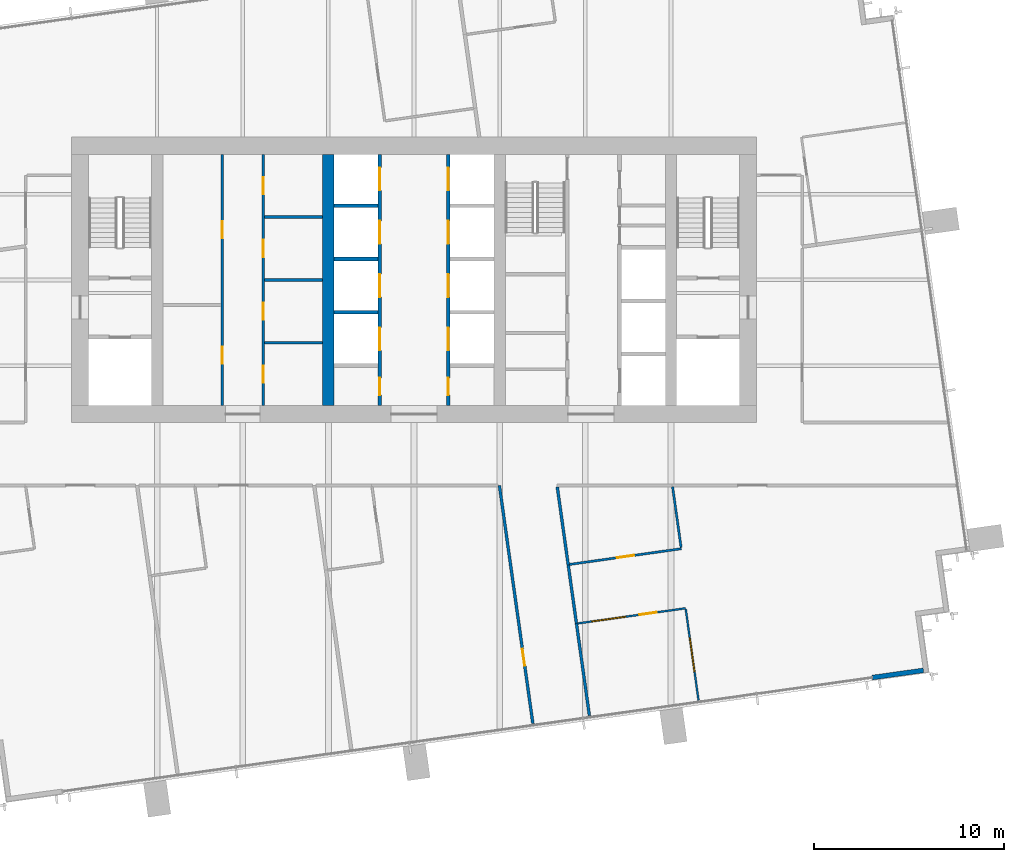
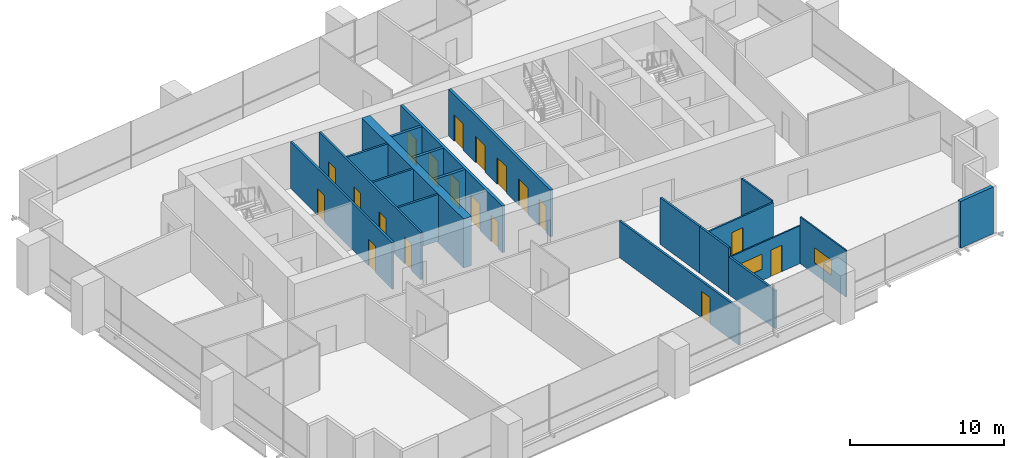
# One storey, part 10 of 14: 20 walls, 19 doors, 2 windows, 21 openings.
"""IFC4 building model written with IfcOpenShell, lengths in metres."""

from ifc_helpers import new_model, si_unit, direction, frame, frame_2d, origin, place, context, subcontext, project, spatial, rectangle, extrude, material, layer, layer_set, type_object, element, fill, save


model = new_model("IFC4")

# Units and contexts
model_context = context("Model", 3, precision=1e-05, world=origin(), true_north=direction((0.0, 1.0)))
body_context = subcontext(model_context, "Body", "Model", "MODEL_VIEW")
ifc_project = project(units=[si_unit("LENGTHUNIT", "METRE"), si_unit("AREAUNIT", "SQUARE_METRE"), si_unit("VOLUMEUNIT", "CUBIC_METRE"), si_unit("PLANEANGLEUNIT", "RADIAN"), si_unit("MASSUNIT", "GRAM", prefix="KILO")], contexts=[model_context])

# Site, building, storey
site_placement = place(None, origin())
site = spatial("IfcSite", under=ifc_project, at=site_placement, CompositionType="ELEMENT")
building_placement = place(site_placement, origin())
building = spatial("IfcBuilding", under=site, at=building_placement, Name="Rattan Terrace Tower", CompositionType="ELEMENT")
storey_placement = place(building_placement, frame((0.0, 0.0, 195.800048828125)))
storey = spatial("IfcBuildingStorey", under=building, at=storey_placement, Name="L45", CompositionType="ELEMENT", Elevation=195.800048828125)

# Wall, openings, doors
ifc_material_1 = material(Name="Gypsum board partition")
ifc_layer_1 = layer(ifc_material_1, 0.14990234375)
ifc_layer_set_1 = layer_set([ifc_layer_1], Name="Core partition 150")
wall_type_1 = type_object("IfcWallType", Name="Core partition 150", PredefinedType="PARTITIONING", material=ifc_layer_set_1)
wall_1_placement = place(storey_placement, frame((-10.074951171875, -6.60009765625, 0.0), z_axis=(0.0, 0.0, 1.0), x_axis=(0.0, 1.0, 0.0)))
wall_1 = element("IfcWall", 1, at=wall_1_placement, inside=storey, type_object=wall_type_1, Name="Core room wall", PredefinedType="PARTITIONING", context=body_context, shape_type="SweptSolid", body=[
    extrude(rectangle(XDim=13.2001953125, YDim=0.14990234375, at=frame_2d((6.60009765625, 0.0))), origin(), (0.0, 0.0, 1.0), 3.699951171875),
])
opening_1_placement = place(wall_1_placement, frame((2.18994140625, 0.0, 0.0)))
opening_1 = element("IfcOpeningElement", 2, at=opening_1_placement, cuts=wall_1, Name="Opening L45-D005", PredefinedType="OPENING", context=body_context, shape_type="SweptSolid", body=[
    extrude(rectangle(XDim=0.89990234375, YDim=2.10009765625, at=frame_2d((0.449951171875, 1.050048828125))), frame((0.0, 0.08544921875, 0.0), z_axis=(0.0, -1.0, 0.0), x_axis=(1.0, 0.0, 0.0)), (0.0, 0.0, 1.0), 0.1708984375),
])
opening_2_placement = place(wall_1_placement, frame((8.7900390625, 0.0, 0.0)))
opening_2 = element("IfcOpeningElement", 3, at=opening_2_placement, cuts=wall_1, Name="Opening L45-D006", PredefinedType="OPENING", context=body_context, shape_type="SweptSolid", body=[
    extrude(rectangle(XDim=0.89990234375, YDim=2.10009765625, at=frame_2d((0.449951171875, 1.050048828125))), frame((0.0, 0.08544921875, 0.0), z_axis=(0.0, -1.0, 0.0), x_axis=(1.0, 0.0, 0.0)), (0.0, 0.0, 1.0), 0.1708984375),
])
ifc_material_2 = material(Name="Hollow-metal fire door leaf")
door_type_1 = type_object("IfcDoorType", Name="Core service room door 900", OperationType="NOTDEFINED", PredefinedType="DOOR", material=ifc_material_2)
door_1_placement = place(opening_1_placement, origin())
door_1 = element("IfcDoor", 4, at=door_1_placement, inside=storey, type_object=door_type_1, Name="Door L45-D005", OperationType="SINGLE_SWING_LEFT", OverallHeight=2.10009765625, OverallWidth=0.89990234375, PredefinedType="DOOR", context=body_context, shape_type="SweptSolid", body=[
    extrude(rectangle(XDim=0.89990234375, YDim=2.10009765625, at=frame_2d((0.449951171875, 1.050048828125))), frame((0.0, 0.02490234375, 0.0), z_axis=(0.0, -1.0, 0.0), x_axis=(1.0, 0.0, 0.0)), (0.0, 0.0, 1.0), 0.050048828125),
])
fill(opening_1, door_1)
door_2_placement = place(opening_2_placement, origin())
door_2 = element("IfcDoor", 5, at=door_2_placement, inside=storey, type_object=door_type_1, Name="Door L45-D006", OperationType="SINGLE_SWING_RIGHT", OverallHeight=2.10009765625, OverallWidth=0.89990234375, PredefinedType="DOOR", context=body_context, shape_type="SweptSolid", body=[
    extrude(rectangle(XDim=0.89990234375, YDim=2.10009765625, at=frame_2d((0.449951171875, 1.050048828125))), frame((0.0, 0.02490234375, 0.0), z_axis=(0.0, -1.0, 0.0), x_axis=(1.0, 0.0, 0.0)), (0.0, 0.0, 1.0), 0.050048828125),
])
fill(opening_2, door_2)

wall_2_placement = place(storey_placement, frame((-7.925048828125, -6.60009765625, 0.0), z_axis=(0.0, 0.0, 1.0), x_axis=(0.0, 1.0, 0.0)))
wall_2 = element("IfcWall", 6, at=wall_2_placement, inside=storey, type_object=wall_type_1, Name="Core room wall", PredefinedType="PARTITIONING", context=body_context, shape_type="SweptSolid", body=[
    extrude(rectangle(XDim=13.2001953125, YDim=0.14990234375, at=frame_2d((6.60009765625, 0.0))), origin(), (0.0, 0.0, 1.0), 3.699951171875),
])
opening_3_placement = place(wall_2_placement, frame((1.199951171875, 0.0, 0.0)))
opening_3 = element("IfcOpeningElement", 7, at=opening_3_placement, cuts=wall_2, Name="Opening L45-D007", PredefinedType="OPENING", context=body_context, shape_type="SweptSolid", body=[
    extrude(rectangle(XDim=0.89990234375, YDim=2.10009765625, at=frame_2d((0.449951171875, 1.050048828125))), frame((0.0, 0.08544921875, 0.0), z_axis=(0.0, -1.0, 0.0), x_axis=(1.0, 0.0, 0.0)), (0.0, 0.0, 1.0), 0.1708984375),
])
opening_4_placement = place(wall_2_placement, frame((4.5, 0.0, 0.0)))
opening_4 = element("IfcOpeningElement", 8, at=opening_4_placement, cuts=wall_2, Name="Opening L45-D008", PredefinedType="OPENING", context=body_context, shape_type="SweptSolid", body=[
    extrude(rectangle(XDim=0.89990234375, YDim=2.10009765625, at=frame_2d((0.449951171875, 1.050048828125))), frame((0.0, 0.08544921875, 0.0), z_axis=(0.0, -1.0, 0.0), x_axis=(1.0, 0.0, 0.0)), (0.0, 0.0, 1.0), 0.1708984375),
])
opening_5_placement = place(wall_2_placement, frame((7.800048828125, 0.0, 0.0)))
opening_5 = element("IfcOpeningElement", 9, at=opening_5_placement, cuts=wall_2, Name="Opening L45-D009", PredefinedType="OPENING", context=body_context, shape_type="SweptSolid", body=[
    extrude(rectangle(XDim=0.89990234375, YDim=2.10009765625, at=frame_2d((0.449951171875, 1.050048828125))), frame((0.0, 0.08544921875, 0.0), z_axis=(0.0, -1.0, 0.0), x_axis=(1.0, 0.0, 0.0)), (0.0, 0.0, 1.0), 0.1708984375),
])
opening_6_placement = place(wall_2_placement, frame((11.10009765625, 0.0, 0.0)))
opening_6 = element("IfcOpeningElement", 10, at=opening_6_placement, cuts=wall_2, Name="Opening L45-D010", PredefinedType="OPENING", context=body_context, shape_type="SweptSolid", body=[
    extrude(rectangle(XDim=0.89990234375, YDim=2.10009765625, at=frame_2d((0.449951171875, 1.050048828125))), frame((0.0, 0.08544921875, 0.0), z_axis=(0.0, -1.0, 0.0), x_axis=(1.0, 0.0, 0.0)), (0.0, 0.0, 1.0), 0.1708984375),
])
door_3_placement = place(opening_3_placement, origin())
door_3 = element("IfcDoor", 11, at=door_3_placement, inside=storey, type_object=door_type_1, Name="Door L45-D007", OperationType="SINGLE_SWING_LEFT", OverallHeight=2.10009765625, OverallWidth=0.89990234375, PredefinedType="DOOR", context=body_context, shape_type="SweptSolid", body=[
    extrude(rectangle(XDim=0.89990234375, YDim=2.10009765625, at=frame_2d((0.449951171875, 1.050048828125))), frame((0.0, 0.02490234375, 0.0), z_axis=(0.0, -1.0, 0.0), x_axis=(1.0, 0.0, 0.0)), (0.0, 0.0, 1.0), 0.050048828125),
])
fill(opening_3, door_3)
door_4_placement = place(opening_4_placement, origin())
door_4 = element("IfcDoor", 12, at=door_4_placement, inside=storey, type_object=door_type_1, Name="Door L45-D008", OperationType="SINGLE_SWING_RIGHT", OverallHeight=2.10009765625, OverallWidth=0.89990234375, PredefinedType="DOOR", context=body_context, shape_type="SweptSolid", body=[
    extrude(rectangle(XDim=0.89990234375, YDim=2.10009765625, at=frame_2d((0.449951171875, 1.050048828125))), frame((0.0, 0.02490234375, 0.0), z_axis=(0.0, -1.0, 0.0), x_axis=(1.0, 0.0, 0.0)), (0.0, 0.0, 1.0), 0.050048828125),
])
fill(opening_4, door_4)
door_5_placement = place(opening_5_placement, origin())
door_5 = element("IfcDoor", 13, at=door_5_placement, inside=storey, type_object=door_type_1, Name="Door L45-D009", OperationType="SINGLE_SWING_LEFT", OverallHeight=2.10009765625, OverallWidth=0.89990234375, PredefinedType="DOOR", context=body_context, shape_type="SweptSolid", body=[
    extrude(rectangle(XDim=0.89990234375, YDim=2.10009765625, at=frame_2d((0.449951171875, 1.050048828125))), frame((0.0, 0.02490234375, 0.0), z_axis=(0.0, -1.0, 0.0), x_axis=(1.0, 0.0, 0.0)), (0.0, 0.0, 1.0), 0.050048828125),
])
fill(opening_5, door_5)
door_6_placement = place(opening_6_placement, origin())
door_6 = element("IfcDoor", 14, at=door_6_placement, inside=storey, type_object=door_type_1, Name="Door L45-D010", OperationType="SINGLE_SWING_RIGHT", OverallHeight=2.10009765625, OverallWidth=0.89990234375, PredefinedType="DOOR", context=body_context, shape_type="SweptSolid", body=[
    extrude(rectangle(XDim=0.89990234375, YDim=2.10009765625, at=frame_2d((0.449951171875, 1.050048828125))), frame((0.0, 0.02490234375, 0.0), z_axis=(0.0, -1.0, 0.0), x_axis=(1.0, 0.0, 0.0)), (0.0, 0.0, 1.0), 0.050048828125),
])
fill(opening_6, door_6)

# Walls
for number, where, z_axis, x_axis, name in (
    (15, (-7.85009765625, -3.300048828125, 0.0), (0.0, 0.0, 1.0), (1.0, 0.0, 0.0), "Core room wall"),
    (16, (-7.85009765625, 0.0, 0.0), (0.0, 0.0, 1.0), (1.0, 0.0, 0.0), "Core room wall"),
    (17, (-7.85009765625, 3.300048828125, 0.0), (0.0, 0.0, 1.0), (1.0, 0.0, 0.0), "Core room wall"),
):
    element("IfcWall", number, at=place(storey_placement, frame(where, z_axis=z_axis, x_axis=x_axis)), inside=storey, type_object=wall_type_1, Name=name, PredefinedType="PARTITIONING", context=body_context, shape_type="SweptSolid", body=[
        extrude(rectangle(XDim=3.050048828125, YDim=0.14990234375, at=frame_2d((1.52490234375, 0.0))), origin(), (0.0, 0.0, 1.0), 3.699951171875),
    ])
ifc_material_3 = material(Name="Concrete C60/75", Category="concrete")
ifc_layer_2 = layer(ifc_material_3, 0.60009765625)
ifc_layer_set_2 = layer_set([ifc_layer_2], Name="Core spine wall 600 C60/75")
wall_type_2 = type_object("IfcWallType", Name="Core spine wall 600 C60/75", PredefinedType="SHEAR", material=ifc_layer_set_2)
wall_3_placement = place(storey_placement, frame((-4.5, -6.60009765625, -0.199951171875), z_axis=(0.0, 0.0, 1.0), x_axis=(0.0, 1.0, 0.0)))
element("IfcWall", 18, at=wall_3_placement, inside=storey, type_object=wall_type_2, Name="Core spine wall 2", PredefinedType="SHEAR", context=body_context, shape_type="SweptSolid", body=[
    extrude(rectangle(XDim=13.2001953125, YDim=0.60009765625, at=frame_2d((6.60009765625, 0.0))), origin(), (0.0, 0.0, 1.0), 3.89990234375),
])
ifc_material_4 = material(Name="Insulated aluminium-clad stud wall", Category="aluminium")
ifc_layer_3 = layer(ifc_material_4, 0.25)
ifc_layer_set_3 = layer_set([ifc_layer_3], Name="Facade Riser Wall 250")
wall_type_3 = type_object("IfcWallType", Name="Facade Riser Wall 250", PredefinedType="SOLIDWALL", material=ifc_layer_set_3)
wall_4_placement = place(storey_placement, frame((24.08544921875, -20.892578125, 0.0), z_axis=(0.0, 0.0, 1.0), x_axis=(0.990255800966, 0.139260362823, 0.0)))
element("IfcWall", 19, at=wall_4_placement, inside=storey, type_object=wall_type_3, Name="Riser wall L45-1", PredefinedType="SOLIDWALL", context=body_context, shape_type="SweptSolid", body=[
    extrude(rectangle(XDim=2.705078125, YDim=0.25, at=frame_2d((1.3525390625, 0.0))), origin(), (0.0, 0.0, 1.0), 3.699951171875),
])

# Wall, openings, door, window
ifc_material_5 = material(Name="Gypsum board partition on steel studs", Category="steel")
ifc_layer_4 = layer(ifc_material_5, 0.10009765625)
ifc_layer_set_4 = layer_set([ifc_layer_4], Name="Floors Partition 100")
wall_type_4 = type_object("IfcWallType", Name="Floors Partition 100", PredefinedType="PARTITIONING", material=ifc_layer_set_4)
wall_5_placement = place(storey_placement, frame((14.26904296875, -17.2529296875, 0.0), z_axis=(0.0, 0.0, 1.0), x_axis=(-0.990248016247, -0.139315707364, 0.0)))
wall_5 = element("IfcWall", 20, at=wall_5_placement, inside=storey, type_object=wall_type_4, Name="pt-L45-034", PredefinedType="PARTITIONING", context=body_context, shape_type="SweptSolid", body=[
    extrude(rectangle(XDim=5.714599609375, YDim=0.10009765625, at=frame_2d((2.857421875, 0.0))), origin(), (0.0, 0.0, 1.0), 3.0),
])
opening_7_placement = place(wall_5_placement, frame((1.5439453125, 0.0, 0.0)))
opening_7 = element("IfcOpeningElement", 21, at=opening_7_placement, cuts=wall_5, Name="Opening L45-D108", PredefinedType="OPENING", context=body_context, shape_type="SweptSolid", body=[
    extrude(rectangle(XDim=0.89990234375, YDim=2.10009765625, at=frame_2d((0.449951171875, 1.050048828125))), frame((0.0, 0.060546875, 0.0), z_axis=(0.0, -1.0, 0.0), x_axis=(1.0, 0.0, 0.0)), (0.0, 0.0, 1.0), 0.12109375),
])
opening_8_placement = place(wall_5_placement, frame((3.179931640625, 0.0, 0.89990234375)))
opening_8 = element("IfcOpeningElement", 22, at=opening_8_placement, cuts=wall_5, Name="Opening L45-W100", PredefinedType="OPENING", context=body_context, shape_type="SweptSolid", body=[
    extrude(rectangle(XDim=1.800048828125, YDim=1.199951171875, at=frame_2d((0.89990234375, 0.60009765625))), frame((0.0, 0.060546875, 0.0), z_axis=(0.0, -1.0, 0.0), x_axis=(1.0, 0.0, 0.0)), (0.0, 0.0, 1.0), 0.12109375),
])
ifc_material_6 = material(Name="Solid core timber door, painted", Category="wood")
door_type_2 = type_object("IfcDoorType", Name="Floors Door 900x2100", OperationType="NOTDEFINED", PredefinedType="DOOR", material=ifc_material_6)
door_7_placement = place(opening_7_placement, origin())
door_7 = element("IfcDoor", 23, at=door_7_placement, inside=storey, type_object=door_type_2, Name="d-L45-108", OperationType="SINGLE_SWING_LEFT", OverallHeight=2.10009765625, OverallWidth=0.89990234375, PredefinedType="DOOR", context=body_context, shape_type="SweptSolid", body=[
    extrude(rectangle(XDim=0.89990234375, YDim=2.10009765625, at=frame_2d((0.449951171875, 1.050048828125))), frame((0.0, 0.02490234375, 0.0), z_axis=(0.0, -1.0, 0.0), x_axis=(1.0, 0.0, 0.0)), (0.0, 0.0, 1.0), 0.050048828125),
])
fill(opening_7, door_7)
ifc_material_7 = material(Name="Glass, clear, fixed in aluminium frame", Category="aluminium")
window_type = type_object("IfcWindowType", Name="Interior Vision Window 1800x1200", PartitioningType="SINGLE_PANEL", PredefinedType="WINDOW", material=ifc_material_7)
window_1_placement = place(opening_8_placement, origin())
window_1 = element("IfcWindow", 24, at=window_1_placement, inside=storey, type_object=window_type, Name="w-L45-100", OverallHeight=1.199951171875, OverallWidth=1.800048828125, PartitioningType="SINGLE_PANEL", PredefinedType="WINDOW", context=body_context, shape_type="SweptSolid", body=[
    extrude(rectangle(XDim=1.800048828125, YDim=1.199951171875, at=frame_2d((0.89990234375, 0.60009765625))), frame((0.0, 0.030029296875, 0.0), z_axis=(0.0, -1.0, 0.0), x_axis=(1.0, 0.0, 0.0)), (0.0, 0.0, 1.0), 0.06005859375),
])
fill(opening_8, window_1)

# Wall, opening, window
wall_6_placement = place(storey_placement, frame((14.947998046875, -22.0849609375, 0.0), z_axis=(0.0, 0.0, 1.0), x_axis=(-0.139184338849, 0.990266489294, 0.0)))
wall_6 = element("IfcWall", 25, at=wall_6_placement, inside=storey, type_object=wall_type_4, Name="pt-L45-035", PredefinedType="PARTITIONING", context=body_context, shape_type="SweptSolid", body=[
    extrude(rectangle(XDim=4.8291015625, YDim=0.10009765625, at=frame_2d((2.41455078125, 0.0))), origin(), (0.0, 0.0, 1.0), 3.699951171875),
])
opening_9_placement = place(wall_6_placement, frame((1.514892578125, 0.0, 0.89990234375)))
opening_9 = element("IfcOpeningElement", 26, at=opening_9_placement, cuts=wall_6, Name="Opening L45-W101", PredefinedType="OPENING", context=body_context, shape_type="SweptSolid", body=[
    extrude(rectangle(XDim=1.800048828125, YDim=1.199951171875, at=frame_2d((0.89990234375, 0.60009765625))), frame((0.0, 0.060546875, 0.0), z_axis=(0.0, -1.0, 0.0), x_axis=(1.0, 0.0, 0.0)), (0.0, 0.0, 1.0), 0.12109375),
])
window_2_placement = place(opening_9_placement, origin())
window_2 = element("IfcWindow", 27, at=window_2_placement, inside=storey, type_object=window_type, Name="w-L45-101", OverallHeight=1.199951171875, OverallWidth=1.800048828125, PartitioningType="SINGLE_PANEL", PredefinedType="WINDOW", context=body_context, shape_type="SweptSolid", body=[
    extrude(rectangle(XDim=1.800048828125, YDim=1.199951171875, at=frame_2d((0.89990234375, 0.60009765625))), frame((0.0, 0.030029296875, 0.0), z_axis=(0.0, -1.0, 0.0), x_axis=(1.0, 0.0, 0.0)), (0.0, 0.0, 1.0), 0.06005859375),
])
fill(opening_9, window_2)

# Wall, opening, door
ifc_material_8 = material(Name="Gypsum board partition on steel studs, fire rated", Category="steel")
ifc_layer_5 = layer(ifc_material_8, 0.14990234375)
ifc_layer_set_5 = layer_set([ifc_layer_5], Name="Floors Tenancy Wall 150")
wall_type_5 = type_object("IfcWallType", Name="Floors Tenancy Wall 150", PredefinedType="PARTITIONING", material=ifc_layer_set_5)
wall_7_placement = place(storey_placement, frame((6.242919921875, -23.31005859375, 0.0), z_axis=(0.0, 0.0, 1.0), x_axis=(-0.139145566137, 0.990271938118, 0.0)))
wall_7 = element("IfcWall", 28, at=wall_7_placement, inside=storey, type_object=wall_type_5, Name="pt-L45-007", PredefinedType="PARTITIONING", context=body_context, shape_type="SweptSolid", body=[
    extrude(rectangle(XDim=12.6328125, YDim=0.14990234375, at=frame_2d((6.31640625, 0.0))), origin(), (0.0, 0.0, 1.0), 2.89990234375),
])
opening_10_placement = place(wall_7_placement, frame((3.05810546875, 0.0, 0.0)))
opening_10 = element("IfcOpeningElement", 29, at=opening_10_placement, cuts=wall_7, Name="Opening L45-D105", PredefinedType="OPENING", context=body_context, shape_type="SweptSolid", body=[
    extrude(rectangle(XDim=0.89990234375, YDim=2.10009765625, at=frame_2d((0.449951171875, 1.050048828125))), frame((0.0, 0.08544921875, 0.0), z_axis=(0.0, -1.0, 0.0), x_axis=(1.0, 0.0, 0.0)), (0.0, 0.0, 1.0), 0.1708984375),
])
ifc_material_9 = material(Name="Steel fire door set", Category="steel")
door_type_3 = type_object("IfcDoorType", Name="Floors Fire Door FD30S 900x2100", OperationType="NOTDEFINED", PredefinedType="DOOR", material=ifc_material_9)
door_8_placement = place(opening_10_placement, origin())
door_8 = element("IfcDoor", 30, at=door_8_placement, inside=storey, type_object=door_type_3, Name="d-L45-105", OperationType="SINGLE_SWING_LEFT", OverallHeight=2.10009765625, OverallWidth=0.89990234375, PredefinedType="DOOR", context=body_context, shape_type="SweptSolid", body=[
    extrude(rectangle(XDim=0.89990234375, YDim=2.10009765625, at=frame_2d((0.449951171875, 1.050048828125))), frame((0.0, 0.02490234375, 0.0), z_axis=(0.0, -1.0, 0.0), x_axis=(1.0, 0.0, 0.0)), (0.0, 0.0, 1.0), 0.050048828125),
])
fill(opening_10, door_8)

# Walls
wall_8_placement = place(storey_placement, frame((8.10205078125, -14.97900390625, 0.0), z_axis=(0.0, 0.0, 1.0), x_axis=(0.139131354665, -0.990273934903, 0.0)))
element("IfcWall", 31, at=wall_8_placement, inside=storey, type_object=wall_type_5, Name="pt-L45-009", PredefinedType="PARTITIONING", context=body_context, shape_type="SweptSolid", body=[
    extrude(rectangle(XDim=3.090087890625, YDim=0.14990234375, at=frame_2d((1.544921875, 0.0))), origin(), (0.0, 0.0, 1.0), 3.699951171875),
])
wall_9_placement = place(storey_placement, frame((8.531982421875, -18.0390625, 0.0), z_axis=(0.0, 0.0, 1.0), x_axis=(0.139189187394, -0.990265807808, 0.0)))
element("IfcWall", 32, at=wall_9_placement, inside=storey, type_object=wall_type_5, Name="pt-L45-011", PredefinedType="PARTITIONING", context=body_context, shape_type="SweptSolid", body=[
    extrude(rectangle(XDim=4.900634765625, YDim=0.14990234375, at=frame_2d((2.4501953125, 0.0))), origin(), (0.0, 0.0, 1.0), 3.0),
])
wall_10_placement = place(storey_placement, frame((7.527099609375, -10.885009765625, 0.0), z_axis=(0.0, 0.0, 1.0), x_axis=(0.1390729581, -0.990282137739, 0.0)))
element("IfcWall", 33, at=wall_10_placement, inside=storey, type_object=wall_type_5, Name="pt-L45-012", PredefinedType="PARTITIONING", context=body_context, shape_type="SweptSolid", body=[
    extrude(rectangle(XDim=4.13427734375, YDim=0.14990234375, at=frame_2d((2.067138671875, 0.0))), origin(), (0.0, 0.0, 1.0), 3.699951171875),
])

# Wall, opening, door
ifc_material_10 = material(Name="Moisture resistant gypsum board partition on steel studs with service cavity", Category="steel")
ifc_layer_6 = layer(ifc_material_10, 0.1201171875)
ifc_layer_set_6 = layer_set([ifc_layer_6], Name="Floors Wet Wall 120")
wall_type_6 = type_object("IfcWallType", Name="Floors Wet Wall 120", PredefinedType="PARTITIONING", material=ifc_layer_set_6)
wall_11_placement = place(storey_placement, frame((8.174072265625, -14.948974609375, 0.0), z_axis=(0.0, 0.0, 1.0), x_axis=(0.990258620858, 0.139240309595, 0.0)))
wall_11 = element("IfcWall", 34, at=wall_11_placement, inside=storey, type_object=wall_type_6, Name="pt-L45-036", PredefinedType="PARTITIONING", context=body_context, shape_type="SweptSolid", body=[
    extrude(rectangle(XDim=5.924560546875, YDim=0.1201171875, at=frame_2d((2.96240234375, 0.0))), origin(), (0.0, 0.0, 1.0), 3.0),
])
opening_11_placement = place(wall_11_placement, frame((2.512939453125, 0.0, 0.0)))
opening_11 = element("IfcOpeningElement", 35, at=opening_11_placement, cuts=wall_11, Name="Opening L45-D109", PredefinedType="OPENING", context=body_context, shape_type="SweptSolid", body=[
    extrude(rectangle(XDim=0.89990234375, YDim=2.10009765625, at=frame_2d((0.449951171875, 1.050048828125))), frame((0.0, 0.070556640625, 0.0), z_axis=(0.0, -1.0, 0.0), x_axis=(1.0, 0.0, 0.0)), (0.0, 0.0, 1.0), 0.14111328125),
])
door_9_placement = place(opening_11_placement, origin())
door_9 = element("IfcDoor", 36, at=door_9_placement, inside=storey, type_object=door_type_2, Name="d-L45-109", OperationType="SINGLE_SWING_RIGHT", OverallHeight=2.10009765625, OverallWidth=0.89990234375, PredefinedType="DOOR", context=body_context, shape_type="SweptSolid", body=[
    extrude(rectangle(XDim=0.89990234375, YDim=2.10009765625, at=frame_2d((0.449951171875, 1.050048828125))), frame((0.0, 0.02490234375, 0.0), z_axis=(0.0, -1.0, 0.0), x_axis=(1.0, 0.0, 0.0)), (0.0, 0.0, 1.0), 0.050048828125),
])
fill(opening_11, door_9)

# Wall
wall_12_placement = place(storey_placement, frame((14.032958984375, -14.06494140625, 0.0), z_axis=(0.0, 0.0, 1.0), x_axis=(-0.139325487292, 0.990246640283, 0.0)))
element("IfcWall", 37, at=wall_12_placement, inside=storey, type_object=wall_type_6, Name="pt-L45-037", PredefinedType="PARTITIONING", context=body_context, shape_type="SweptSolid", body=[
    extrude(rectangle(XDim=3.2294921875, YDim=0.1201171875, at=frame_2d((1.61474609375, 0.0))), origin(), (0.0, 0.0, 1.0), 3.099853515625),
])

# Wall, openings, doors
ifc_material_11 = material(Name="Gypsum shaft wall system")
ifc_layer_7 = layer(ifc_material_11, 0.199951171875)
ifc_layer_set_7 = layer_set([ifc_layer_7], Name="Lift shaft wall 200")
wall_type_7 = type_object("IfcWallType", Name="Lift shaft wall 200", PredefinedType="PARTITIONING", material=ifc_layer_set_7)
wall_13_placement = place(storey_placement, frame((-1.800048828125, -6.60009765625, 0.0), z_axis=(0.0, 0.0, 1.0), x_axis=(0.0, 1.0, 0.0)))
wall_13 = element("IfcWall", 38, at=wall_13_placement, inside=storey, type_object=wall_type_7, Name="Lift shaft front wall", PredefinedType="PARTITIONING", context=body_context, shape_type="SweptSolid", body=[
    extrude(rectangle(XDim=13.2001953125, YDim=0.199951171875, at=frame_2d((6.60009765625, 0.0))), origin(), (0.0, 0.0, 1.0), 3.699951171875),
])
opening_12_placement = place(wall_13_placement, frame((0.550048828125, 0.0, 0.0)))
opening_12 = element("IfcOpeningElement", 39, at=opening_12_placement, cuts=wall_13, Name="Opening L45-D012", PredefinedType="OPENING", context=body_context, shape_type="SweptSolid", body=[
    extrude(rectangle(XDim=0.89990234375, YDim=2.10009765625, at=frame_2d((0.449951171875, 1.050048828125))), frame((0.0, 0.110595703125, 0.0), z_axis=(0.0, -1.0, 0.0), x_axis=(1.0, 0.0, 0.0)), (0.0, 0.0, 1.0), 0.220947265625),
])
opening_13_placement = place(wall_13_placement, frame((2.89990234375, 0.0, 0.0)))
opening_13 = element("IfcOpeningElement", 40, at=opening_13_placement, cuts=wall_13, Name="Opening L45-LD-HR1", PredefinedType="OPENING", context=body_context, shape_type="SweptSolid", body=[
    extrude(rectangle(XDim=1.199951171875, YDim=2.10009765625, at=frame_2d((0.60009765625, 1.050048828125))), frame((0.0, 0.110595703125, 0.0), z_axis=(0.0, -1.0, 0.0), x_axis=(1.0, 0.0, 0.0)), (0.0, 0.0, 1.0), 0.220947265625),
])
opening_14_placement = place(wall_13_placement, frame((5.699951171875, 0.0, 0.0)))
opening_14 = element("IfcOpeningElement", 41, at=opening_14_placement, cuts=wall_13, Name="Opening L45-LD-HR2", PredefinedType="OPENING", context=body_context, shape_type="SweptSolid", body=[
    extrude(rectangle(XDim=1.199951171875, YDim=2.10009765625, at=frame_2d((0.60009765625, 1.050048828125))), frame((0.0, 0.110595703125, 0.0), z_axis=(0.0, -1.0, 0.0), x_axis=(1.0, 0.0, 0.0)), (0.0, 0.0, 1.0), 0.220947265625),
])
opening_15_placement = place(wall_13_placement, frame((8.5, 0.0, 0.0)))
opening_15 = element("IfcOpeningElement", 42, at=opening_15_placement, cuts=wall_13, Name="Opening L45-LD-HR3", PredefinedType="OPENING", context=body_context, shape_type="SweptSolid", body=[
    extrude(rectangle(XDim=1.199951171875, YDim=2.10009765625, at=frame_2d((0.60009765625, 1.050048828125))), frame((0.0, 0.110595703125, 0.0), z_axis=(0.0, -1.0, 0.0), x_axis=(1.0, 0.0, 0.0)), (0.0, 0.0, 1.0), 0.220947265625),
])
opening_16_placement = place(wall_13_placement, frame((11.300048828125, 0.0, 0.0)))
opening_16 = element("IfcOpeningElement", 43, at=opening_16_placement, cuts=wall_13, Name="Opening L45-LD-HR4", PredefinedType="OPENING", context=body_context, shape_type="SweptSolid", body=[
    extrude(rectangle(XDim=1.199951171875, YDim=2.10009765625, at=frame_2d((0.60009765625, 1.050048828125))), frame((0.0, 0.110595703125, 0.0), z_axis=(0.0, -1.0, 0.0), x_axis=(1.0, 0.0, 0.0)), (0.0, 0.0, 1.0), 0.220947265625),
])
ifc_material_12 = material(Name="Brushed stainless landing door panel")
door_type_4 = type_object("IfcDoorType", Name="Core lift landing door 1200", OperationType="DOUBLE_DOOR_SLIDING", PredefinedType="DOOR", material=ifc_material_12)
door_10_placement = place(opening_13_placement, origin())
door_10 = element("IfcDoor", 44, at=door_10_placement, inside=storey, type_object=door_type_4, Name="Door L45-LD-HR1", OperationType="DOUBLE_DOOR_SLIDING", OverallHeight=2.10009765625, OverallWidth=1.199951171875, PredefinedType="DOOR", context=body_context, shape_type="SweptSolid", body=[
    extrude(rectangle(XDim=1.199951171875, YDim=2.10009765625, at=frame_2d((0.60009765625, 1.050048828125))), frame((0.0, 0.02490234375, 0.0), z_axis=(0.0, -1.0, 0.0), x_axis=(1.0, 0.0, 0.0)), (0.0, 0.0, 1.0), 0.050048828125),
])
fill(opening_13, door_10)
door_11_placement = place(opening_14_placement, origin())
door_11 = element("IfcDoor", 45, at=door_11_placement, inside=storey, type_object=door_type_4, Name="Door L45-LD-HR2", OperationType="DOUBLE_DOOR_SLIDING", OverallHeight=2.10009765625, OverallWidth=1.199951171875, PredefinedType="DOOR", context=body_context, shape_type="SweptSolid", body=[
    extrude(rectangle(XDim=1.199951171875, YDim=2.10009765625, at=frame_2d((0.60009765625, 1.050048828125))), frame((0.0, 0.02490234375, 0.0), z_axis=(0.0, -1.0, 0.0), x_axis=(1.0, 0.0, 0.0)), (0.0, 0.0, 1.0), 0.050048828125),
])
fill(opening_14, door_11)
door_12_placement = place(opening_15_placement, origin())
door_12 = element("IfcDoor", 46, at=door_12_placement, inside=storey, type_object=door_type_4, Name="Door L45-LD-HR3", OperationType="DOUBLE_DOOR_SLIDING", OverallHeight=2.10009765625, OverallWidth=1.199951171875, PredefinedType="DOOR", context=body_context, shape_type="SweptSolid", body=[
    extrude(rectangle(XDim=1.199951171875, YDim=2.10009765625, at=frame_2d((0.60009765625, 1.050048828125))), frame((0.0, 0.02490234375, 0.0), z_axis=(0.0, -1.0, 0.0), x_axis=(1.0, 0.0, 0.0)), (0.0, 0.0, 1.0), 0.050048828125),
])
fill(opening_15, door_12)
door_13_placement = place(opening_16_placement, origin())
door_13 = element("IfcDoor", 47, at=door_13_placement, inside=storey, type_object=door_type_4, Name="Door L45-LD-HR4", OperationType="DOUBLE_DOOR_SLIDING", OverallHeight=2.10009765625, OverallWidth=1.199951171875, PredefinedType="DOOR", context=body_context, shape_type="SweptSolid", body=[
    extrude(rectangle(XDim=1.199951171875, YDim=2.10009765625, at=frame_2d((0.60009765625, 1.050048828125))), frame((0.0, 0.02490234375, 0.0), z_axis=(0.0, -1.0, 0.0), x_axis=(1.0, 0.0, 0.0)), (0.0, 0.0, 1.0), 0.050048828125),
])
fill(opening_16, door_13)
ifc_material_13 = material(Name="Hollow-metal fire door leaf")
door_type_5 = type_object("IfcDoorType", Name="Core riser door 900", OperationType="NOTDEFINED", PredefinedType="DOOR", material=ifc_material_13)
door_14_placement = place(opening_12_placement, origin())
door_14 = element("IfcDoor", 48, at=door_14_placement, inside=storey, type_object=door_type_5, Name="Door L45-D012", OperationType="SINGLE_SWING_RIGHT", OverallHeight=2.10009765625, OverallWidth=0.89990234375, PredefinedType="DOOR", context=body_context, shape_type="SweptSolid", body=[
    extrude(rectangle(XDim=0.89990234375, YDim=2.10009765625, at=frame_2d((0.449951171875, 1.050048828125))), frame((0.0, 0.02490234375, 0.0), z_axis=(0.0, -1.0, 0.0), x_axis=(1.0, 0.0, 0.0)), (0.0, 0.0, 1.0), 0.050048828125),
])
fill(opening_12, door_14)

wall_14_placement = place(storey_placement, frame((1.800048828125, -6.60009765625, 0.0), z_axis=(0.0, 0.0, 1.0), x_axis=(0.0, 1.0, 0.0)))
wall_14 = element("IfcWall", 49, at=wall_14_placement, inside=storey, type_object=wall_type_7, Name="Lift shaft front wall", PredefinedType="PARTITIONING", context=body_context, shape_type="SweptSolid", body=[
    extrude(rectangle(XDim=13.2001953125, YDim=0.199951171875, at=frame_2d((6.60009765625, 0.0))), origin(), (0.0, 0.0, 1.0), 3.699951171875),
])
opening_17_placement = place(wall_14_placement, frame((0.550048828125, 0.0, 0.0)))
opening_17 = element("IfcOpeningElement", 50, at=opening_17_placement, cuts=wall_14, Name="Opening L45-D013", PredefinedType="OPENING", context=body_context, shape_type="SweptSolid", body=[
    extrude(rectangle(XDim=0.89990234375, YDim=2.10009765625, at=frame_2d((0.449951171875, 1.050048828125))), frame((0.0, 0.110595703125, 0.0), z_axis=(0.0, -1.0, 0.0), x_axis=(1.0, 0.0, 0.0)), (0.0, 0.0, 1.0), 0.220947265625),
])
opening_18_placement = place(wall_14_placement, frame((2.89990234375, 0.0, 0.0)))
opening_18 = element("IfcOpeningElement", 51, at=opening_18_placement, cuts=wall_14, Name="Opening L45-LD-HR5", PredefinedType="OPENING", context=body_context, shape_type="SweptSolid", body=[
    extrude(rectangle(XDim=1.199951171875, YDim=2.10009765625, at=frame_2d((0.60009765625, 1.050048828125))), frame((0.0, 0.110595703125, 0.0), z_axis=(0.0, -1.0, 0.0), x_axis=(1.0, 0.0, 0.0)), (0.0, 0.0, 1.0), 0.220947265625),
])
opening_19_placement = place(wall_14_placement, frame((5.699951171875, 0.0, 0.0)))
opening_19 = element("IfcOpeningElement", 52, at=opening_19_placement, cuts=wall_14, Name="Opening L45-LD-HR6", PredefinedType="OPENING", context=body_context, shape_type="SweptSolid", body=[
    extrude(rectangle(XDim=1.199951171875, YDim=2.10009765625, at=frame_2d((0.60009765625, 1.050048828125))), frame((0.0, 0.110595703125, 0.0), z_axis=(0.0, -1.0, 0.0), x_axis=(1.0, 0.0, 0.0)), (0.0, 0.0, 1.0), 0.220947265625),
])
opening_20_placement = place(wall_14_placement, frame((8.5, 0.0, 0.0)))
opening_20 = element("IfcOpeningElement", 53, at=opening_20_placement, cuts=wall_14, Name="Opening L45-LD-HR7", PredefinedType="OPENING", context=body_context, shape_type="SweptSolid", body=[
    extrude(rectangle(XDim=1.199951171875, YDim=2.10009765625, at=frame_2d((0.60009765625, 1.050048828125))), frame((0.0, 0.110595703125, 0.0), z_axis=(0.0, -1.0, 0.0), x_axis=(1.0, 0.0, 0.0)), (0.0, 0.0, 1.0), 0.220947265625),
])
opening_21_placement = place(wall_14_placement, frame((11.300048828125, 0.0, 0.0)))
opening_21 = element("IfcOpeningElement", 54, at=opening_21_placement, cuts=wall_14, Name="Opening L45-LD-HR8", PredefinedType="OPENING", context=body_context, shape_type="SweptSolid", body=[
    extrude(rectangle(XDim=1.199951171875, YDim=2.10009765625, at=frame_2d((0.60009765625, 1.050048828125))), frame((0.0, 0.110595703125, 0.0), z_axis=(0.0, -1.0, 0.0), x_axis=(1.0, 0.0, 0.0)), (0.0, 0.0, 1.0), 0.220947265625),
])
door_15_placement = place(opening_18_placement, origin())
door_15 = element("IfcDoor", 55, at=door_15_placement, inside=storey, type_object=door_type_4, Name="Door L45-LD-HR5", OperationType="DOUBLE_DOOR_SLIDING", OverallHeight=2.10009765625, OverallWidth=1.199951171875, PredefinedType="DOOR", context=body_context, shape_type="SweptSolid", body=[
    extrude(rectangle(XDim=1.199951171875, YDim=2.10009765625, at=frame_2d((0.60009765625, 1.050048828125))), frame((0.0, 0.02490234375, 0.0), z_axis=(0.0, -1.0, 0.0), x_axis=(1.0, 0.0, 0.0)), (0.0, 0.0, 1.0), 0.050048828125),
])
fill(opening_18, door_15)
door_16_placement = place(opening_19_placement, origin())
door_16 = element("IfcDoor", 56, at=door_16_placement, inside=storey, type_object=door_type_4, Name="Door L45-LD-HR6", OperationType="DOUBLE_DOOR_SLIDING", OverallHeight=2.10009765625, OverallWidth=1.199951171875, PredefinedType="DOOR", context=body_context, shape_type="SweptSolid", body=[
    extrude(rectangle(XDim=1.199951171875, YDim=2.10009765625, at=frame_2d((0.60009765625, 1.050048828125))), frame((0.0, 0.02490234375, 0.0), z_axis=(0.0, -1.0, 0.0), x_axis=(1.0, 0.0, 0.0)), (0.0, 0.0, 1.0), 0.050048828125),
])
fill(opening_19, door_16)
door_17_placement = place(opening_20_placement, origin())
door_17 = element("IfcDoor", 57, at=door_17_placement, inside=storey, type_object=door_type_4, Name="Door L45-LD-HR7", OperationType="DOUBLE_DOOR_SLIDING", OverallHeight=2.10009765625, OverallWidth=1.199951171875, PredefinedType="DOOR", context=body_context, shape_type="SweptSolid", body=[
    extrude(rectangle(XDim=1.199951171875, YDim=2.10009765625, at=frame_2d((0.60009765625, 1.050048828125))), frame((0.0, 0.02490234375, 0.0), z_axis=(0.0, -1.0, 0.0), x_axis=(1.0, 0.0, 0.0)), (0.0, 0.0, 1.0), 0.050048828125),
])
fill(opening_20, door_17)
door_18_placement = place(opening_21_placement, origin())
door_18 = element("IfcDoor", 58, at=door_18_placement, inside=storey, type_object=door_type_4, Name="Door L45-LD-HR8", OperationType="DOUBLE_DOOR_SLIDING", OverallHeight=2.10009765625, OverallWidth=1.199951171875, PredefinedType="DOOR", context=body_context, shape_type="SweptSolid", body=[
    extrude(rectangle(XDim=1.199951171875, YDim=2.10009765625, at=frame_2d((0.60009765625, 1.050048828125))), frame((0.0, 0.02490234375, 0.0), z_axis=(0.0, -1.0, 0.0), x_axis=(1.0, 0.0, 0.0)), (0.0, 0.0, 1.0), 0.050048828125),
])
fill(opening_21, door_18)
door_19_placement = place(opening_17_placement, origin())
door_19 = element("IfcDoor", 59, at=door_19_placement, inside=storey, type_object=door_type_5, Name="Door L45-D013", OperationType="SINGLE_SWING_LEFT", OverallHeight=2.10009765625, OverallWidth=0.89990234375, PredefinedType="DOOR", context=body_context, shape_type="SweptSolid", body=[
    extrude(rectangle(XDim=0.89990234375, YDim=2.10009765625, at=frame_2d((0.449951171875, 1.050048828125))), frame((0.0, 0.02490234375, 0.0), z_axis=(0.0, -1.0, 0.0), x_axis=(1.0, 0.0, 0.0)), (0.0, 0.0, 1.0), 0.050048828125),
])
fill(opening_17, door_19)

# Walls
for number, where, z_axis, x_axis, name in (
    (60, (-4.199951171875, -1.699951171875, 0.0), (0.0, 0.0, 1.0), (1.0, 0.0, 0.0), "Lift shaft wall"),
    (61, (-4.199951171875, 1.10009765625, 0.0), (0.0, 0.0, 1.0), (1.0, 0.0, 0.0), "Lift shaft wall"),
    (62, (-4.199951171875, 3.89990234375, 0.0), (0.0, 0.0, 1.0), (1.0, 0.0, 0.0), "Lift shaft wall"),
):
    element("IfcWall", number, at=place(storey_placement, frame(where, z_axis=z_axis, x_axis=x_axis)), inside=storey, type_object=wall_type_7, Name=name, PredefinedType="PARTITIONING", context=body_context, shape_type="SweptSolid", body=[
        extrude(rectangle(XDim=2.300048828125, YDim=0.199951171875, at=frame_2d((1.14990234375, 0.0))), origin(), (0.0, 0.0, 1.0), 3.699951171875),
    ])

save(model, "model.ifc")
